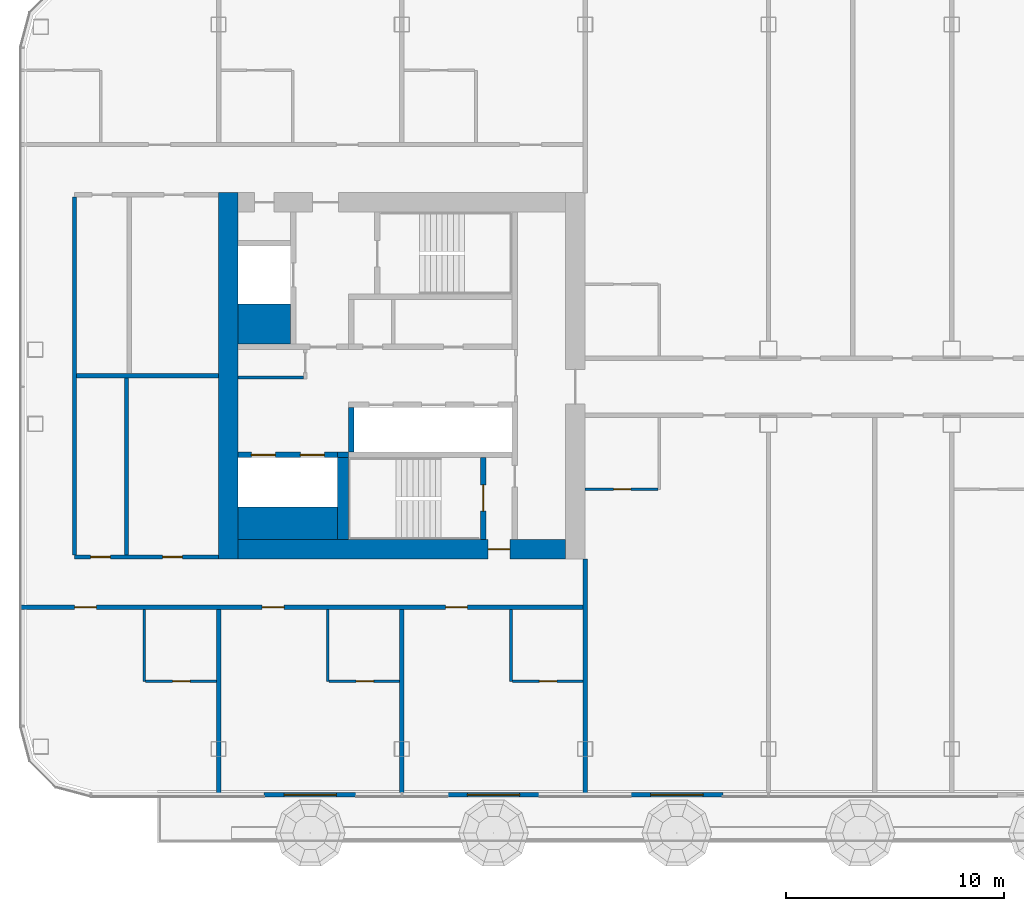
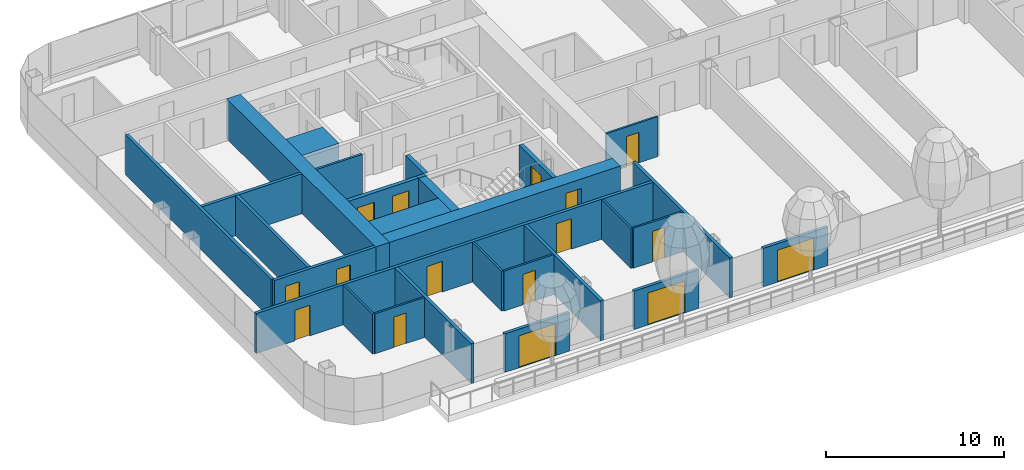
# One storey, part 10 of 29: 28 walls, 16 doors, 16 openings, 1 element without a shape of its own.
"""IFC4 building model written with IfcOpenShell, lengths in metres."""

from ifc_helpers import new_model, si_unit, direction, frame, frame_2d, origin, place, context, subcontext, project, spatial, rectangle, extrude, material, layer, layer_set, type_object, element, fill, aggregate, save


model = new_model("IFC4")

# Units and contexts
model_context = context("Model", 3, precision=1e-05, world=origin(), true_north=direction((0.0, 1.0)))
body_context = subcontext(model_context, "Body", "Model", "MODEL_VIEW")
ifc_project = project(units=[si_unit("LENGTHUNIT", "METRE"), si_unit("AREAUNIT", "SQUARE_METRE"), si_unit("VOLUMEUNIT", "CUBIC_METRE"), si_unit("PLANEANGLEUNIT", "RADIAN"), si_unit("MASSUNIT", "GRAM", prefix="KILO")], contexts=[model_context])

# Site, building, storey
site_placement = place(None, origin())
site = spatial("IfcSite", under=ifc_project, at=site_placement, CompositionType="ELEMENT")
building_placement = place(site_placement, origin())
building = spatial("IfcBuilding", under=site, at=building_placement, Name="Hakoniwa Tower and Hamabe Station Hall", CompositionType="ELEMENT")
storey_placement = place(building_placement, frame((0.0, 0.0, 163.0)))
storey = spatial("IfcBuildingStorey", under=building, at=storey_placement, Name="L46", CompositionType="ELEMENT", Elevation=163.0)

# Wall, opening, door
ifc_material_1 = material(Name="Gypsum board partition", Category="gypsum")
ifc_layer_1 = layer(ifc_material_1, 0.125)
ifc_layer_set_1 = layer_set([ifc_layer_1], Name="Bathroom Partition 125")
wall_type_1 = type_object("IfcWallType", Name="Bathroom Partition 125", PredefinedType="PARTITIONING", material=ifc_layer_set_1)
wall_1_placement = place(storey_placement, frame((-36.9375, -14.0, 0.0), z_axis=(0.0, 0.0, 1.0), x_axis=(1.0, 0.0, 0.0)))
wall_1 = element("IfcWall", 1, at=wall_1_placement, inside=storey, type_object=wall_type_1, Name="GW-L46-001", PredefinedType="PARTITIONING", context=body_context, shape_type="SweptSolid", body=[
    extrude(rectangle(XDim=3.237548828125, YDim=0.125, at=frame_2d((1.61865234375, 0.0))), origin(), (0.0, 0.0, 1.0), 2.75),
])
opening_1_placement = place(wall_1_placement, frame((1.237548828125, 0.0, 0.0)))
opening_1 = element("IfcOpeningElement", 2, at=opening_1_placement, cuts=wall_1, Name="Opening GD-G3A2-01", PredefinedType="OPENING", context=body_context, shape_type="SweptSolid", body=[
    extrude(rectangle(XDim=0.800048828125, YDim=2.10009765625, at=frame_2d((0.39990234375, 1.050048828125))), frame((0.0, 0.072509765625, 0.0), z_axis=(0.0, -1.0, 0.0), x_axis=(1.0, 0.0, 0.0)), (0.0, 0.0, 1.0), 0.14501953125),
])
ifc_material_2 = material(Name="Timber door leaf", Category="wood")
door_type_1 = type_object("IfcDoorType", Name="Bathroom Door 800", OperationType="SINGLE_SWING_LEFT", PredefinedType="DOOR", material=ifc_material_2)
door_1_placement = place(opening_1_placement, origin())
door_1 = element("IfcDoor", 3, at=door_1_placement, inside=storey, type_object=door_type_1, Name="Door GD-G3A2-01", OperationType="SINGLE_SWING_LEFT", OverallHeight=2.10009765625, OverallWidth=0.800048828125, PredefinedType="DOOR", context=body_context, shape_type="SweptSolid", body=[
    extrude(rectangle(XDim=0.800048828125, YDim=2.10009765625, at=frame_2d((0.39990234375, 1.050048828125))), frame((0.0, 0.02490234375, 0.0), z_axis=(0.0, -1.0, 0.0), x_axis=(1.0, 0.0, 0.0)), (0.0, 0.0, 1.0), 0.050048828125),
])
fill(opening_1, door_1)

wall_2_placement = place(storey_placement, frame((-28.53759765625, -14.0, 0.0), z_axis=(0.0, 0.0, 1.0), x_axis=(1.0, 0.0, 0.0)))
wall_2 = element("IfcWall", 4, at=wall_2_placement, inside=storey, type_object=wall_type_1, Name="GW-L46-002", PredefinedType="PARTITIONING", context=body_context, shape_type="SweptSolid", body=[
    extrude(rectangle(XDim=3.237548828125, YDim=0.125, at=frame_2d((1.61865234375, 0.0))), origin(), (0.0, 0.0, 1.0), 2.75),
])
opening_2_placement = place(wall_2_placement, frame((1.237548828125, 0.0, 0.0)))
opening_2 = element("IfcOpeningElement", 5, at=opening_2_placement, cuts=wall_2, Name="Opening GD-G3A2-02", PredefinedType="OPENING", context=body_context, shape_type="SweptSolid", body=[
    extrude(rectangle(XDim=0.800048828125, YDim=2.10009765625, at=frame_2d((0.39990234375, 1.050048828125))), frame((0.0, 0.072509765625, 0.0), z_axis=(0.0, -1.0, 0.0), x_axis=(1.0, 0.0, 0.0)), (0.0, 0.0, 1.0), 0.14501953125),
])
door_2_placement = place(opening_2_placement, origin())
door_2 = element("IfcDoor", 6, at=door_2_placement, inside=storey, type_object=door_type_1, Name="Door GD-G3A2-02", OperationType="SINGLE_SWING_RIGHT", OverallHeight=2.10009765625, OverallWidth=0.800048828125, PredefinedType="DOOR", context=body_context, shape_type="SweptSolid", body=[
    extrude(rectangle(XDim=0.800048828125, YDim=2.10009765625, at=frame_2d((0.39990234375, 1.050048828125))), frame((0.0, 0.02490234375, 0.0), z_axis=(0.0, -1.0, 0.0), x_axis=(1.0, 0.0, 0.0)), (0.0, 0.0, 1.0), 0.050048828125),
])
fill(opening_2, door_2)

wall_3_placement = place(storey_placement, frame((-20.137451171875, -14.0, 0.0), z_axis=(0.0, 0.0, 1.0), x_axis=(1.0, 0.0, 0.0)))
wall_3 = element("IfcWall", 7, at=wall_3_placement, inside=storey, type_object=wall_type_1, Name="GW-L46-003", PredefinedType="PARTITIONING", context=body_context, shape_type="SweptSolid", body=[
    extrude(rectangle(XDim=3.237548828125, YDim=0.125, at=frame_2d((1.61865234375, 0.0))), origin(), (0.0, 0.0, 1.0), 2.75),
])
opening_3_placement = place(wall_3_placement, frame((1.237548828125, 0.0, 0.0)))
opening_3 = element("IfcOpeningElement", 8, at=opening_3_placement, cuts=wall_3, Name="Opening GD-G3A2-03", PredefinedType="OPENING", context=body_context, shape_type="SweptSolid", body=[
    extrude(rectangle(XDim=0.800048828125, YDim=2.10009765625, at=frame_2d((0.39990234375, 1.050048828125))), frame((0.0, 0.072509765625, 0.0), z_axis=(0.0, -1.0, 0.0), x_axis=(1.0, 0.0, 0.0)), (0.0, 0.0, 1.0), 0.14501953125),
])
door_3_placement = place(opening_3_placement, origin())
door_3 = element("IfcDoor", 9, at=door_3_placement, inside=storey, type_object=door_type_1, Name="Door GD-G3A2-03", OperationType="SINGLE_SWING_LEFT", OverallHeight=2.10009765625, OverallWidth=0.800048828125, PredefinedType="DOOR", context=body_context, shape_type="SweptSolid", body=[
    extrude(rectangle(XDim=0.800048828125, YDim=2.10009765625, at=frame_2d((0.39990234375, 1.050048828125))), frame((0.0, 0.02490234375, 0.0), z_axis=(0.0, -1.0, 0.0), x_axis=(1.0, 0.0, 0.0)), (0.0, 0.0, 1.0), 0.050048828125),
])
fill(opening_3, door_3)

wall_4_placement = place(storey_placement, frame((-16.81005859375, -5.199951171875, 0.0), z_axis=(0.0, 0.0, 1.0), x_axis=(1.0, 0.0, 0.0)))
wall_4 = element("IfcWall", 10, at=wall_4_placement, inside=storey, type_object=wall_type_1, Name="GW-L46-010", PredefinedType="PARTITIONING", context=body_context, shape_type="SweptSolid", body=[
    extrude(rectangle(XDim=3.34765625, YDim=0.125, at=frame_2d((1.673828125, 0.0))), origin(), (0.0, 0.0, 1.0), 2.75),
])
opening_4_placement = place(wall_4_placement, frame((1.31005859375, 0.0, 0.0)))
opening_4 = element("IfcOpeningElement", 11, at=opening_4_placement, cuts=wall_4, Name="Opening GD-G3A2-17", PredefinedType="OPENING", context=body_context, shape_type="SweptSolid", body=[
    extrude(rectangle(XDim=0.800048828125, YDim=2.10009765625, at=frame_2d((0.39990234375, 1.050048828125))), frame((0.0, 0.072509765625, 0.0), z_axis=(0.0, -1.0, 0.0), x_axis=(1.0, 0.0, 0.0)), (0.0, 0.0, 1.0), 0.14501953125),
])
door_4_placement = place(opening_4_placement, origin())
door_4 = element("IfcDoor", 12, at=door_4_placement, inside=storey, type_object=door_type_1, Name="Door GD-G3A2-17", OperationType="SINGLE_SWING_LEFT", OverallHeight=2.10009765625, OverallWidth=0.800048828125, PredefinedType="DOOR", context=body_context, shape_type="SweptSolid", body=[
    extrude(rectangle(XDim=0.800048828125, YDim=2.10009765625, at=frame_2d((0.39990234375, 1.050048828125))), frame((0.0, 0.02490234375, 0.0), z_axis=(0.0, -1.0, 0.0), x_axis=(1.0, 0.0, 0.0)), (0.0, 0.0, 1.0), 0.050048828125),
])
fill(opening_4, door_4)

# Walls
for number, where, z_axis, x_axis, name in (
    (13, (-37.0, -14.0, 0.0), (0.0, 0.0, 1.0), (0.0, 1.0, 0.0), "GW-L46-032"),
    (14, (-28.60009765625, -14.0, 0.0), (0.0, 0.0, 1.0), (0.0, 1.0, 0.0), "GW-L46-036"),
    (15, (-20.199951171875, -14.0, 0.0), (0.0, 0.0, 1.0), (0.0, 1.0, 0.0), "GW-L46-040"),
):
    element("IfcWall", number, at=place(storey_placement, frame(where, z_axis=z_axis, x_axis=x_axis)), inside=storey, type_object=wall_type_1, Name=name, PredefinedType="PARTITIONING", context=body_context, shape_type="SweptSolid", body=[
        extrude(rectangle(XDim=3.300048828125, YDim=0.125, at=frame_2d((1.64990234375, 0.0))), origin(), (0.0, 0.0, 1.0), 2.75),
    ])
ifc_material_3 = material(Name="Gypsum board partition")
ifc_layer_2 = layer(ifc_material_3, 0.14990234375)
ifc_layer_set_2 = layer_set([ifc_layer_2], Name="CORE PARTITION 150 EI 60")
wall_type_2 = type_object("IfcWallType", Name="CORE PARTITION 150 EI 60", PredefinedType="PARTITIONING", material=ifc_layer_set_2)
wall_5_placement = place(storey_placement, frame((-32.699951171875, -0.074951171875, 0.0), z_axis=(0.0, 0.0, 1.0), x_axis=(1.0, 0.0, 0.0)))
element("IfcWall", 16, at=wall_5_placement, inside=storey, type_object=wall_type_2, Name="Core partition PS west", PredefinedType="PARTITIONING", context=body_context, shape_type="SweptSolid", body=[
    extrude(rectangle(XDim=3.0, YDim=0.14990234375, at=frame_2d((1.5, 0.0))), origin(), (0.0, 0.0, 1.0), 2.75),
])
ifc_material_4 = material(Name="Concrete C66", Category="concrete")
ifc_layer_3 = layer(ifc_material_4, 0.89990234375)
ifc_layer_set_3 = layer_set([ifc_layer_3], Name="CORE WALL 900 C66")
wall_type_3 = type_object("IfcWallType", Name="CORE WALL 900 C66", PredefinedType="SHEAR", material=ifc_layer_set_3)
wall_6_placement = place(storey_placement, frame((-33.14990234375, -8.39990234375, 0.0), z_axis=(0.0, 0.0, 1.0), x_axis=(0.0, 1.0, 0.0)))
element("IfcWall", 17, at=wall_6_placement, inside=storey, type_object=wall_type_3, Name="Core wall OUTER west", PredefinedType="SHEAR", context=body_context, shape_type="SweptSolid", body=[
    extrude(rectangle(XDim=16.7998046875, YDim=0.89990234375, at=frame_2d((8.39990234375, 0.0))), origin(), (0.0, 0.0, 1.0), 2.75),
])

# Wall, opening, door
wall_7_placement = place(storey_placement, frame((-32.699951171875, -7.949951171875, 0.0), z_axis=(0.0, 0.0, 1.0), x_axis=(1.0, 0.0, 0.0)))
wall_7 = element("IfcWall", 18, at=wall_7_placement, inside=storey, type_object=wall_type_3, Name="Core wall SOUTH west", PredefinedType="SHEAR", context=body_context, shape_type="SweptSolid", body=[
    extrude(rectangle(XDim=15.0, YDim=0.89990234375, at=frame_2d((7.5, 0.0))), origin(), (0.0, 0.0, 1.0), 2.75),
])
opening_5_placement = place(wall_7_placement, frame((11.449951171875, 0.0, 0.0)))
opening_5 = element("IfcOpeningElement", 19, at=opening_5_placement, cuts=wall_7, Name="Opening CD-W-FS3-10", PredefinedType="OPENING", context=body_context, shape_type="SweptSolid", body=[
    extrude(rectangle(XDim=1.0, YDim=2.10009765625, at=frame_2d((0.5, 1.050048828125))), frame((0.0, 0.4599609375, 0.0), z_axis=(0.0, -1.0, 0.0), x_axis=(1.0, 0.0, 0.0)), (0.0, 0.0, 1.0), 0.919921875),
])
ifc_material_5 = material(Name="Steel fire door", Category="steel")
door_type_2 = type_object("IfcDoorType", Name="CORE DOOR 1000 FD60", OperationType="NOTDEFINED", PredefinedType="DOOR", material=ifc_material_5)
door_5_placement = place(opening_5_placement, origin())
door_5 = element("IfcDoor", 20, at=door_5_placement, inside=storey, type_object=door_type_2, Name="Stair vestibule door", OperationType="SINGLE_SWING_LEFT", OverallHeight=2.10009765625, OverallWidth=1.0, PredefinedType="DOOR", context=body_context, shape_type="SweptSolid", body=[
    extrude(rectangle(XDim=1.0, YDim=2.10009765625, at=frame_2d((0.5, 1.050048828125))), frame((0.0, 0.02490234375, 0.0), z_axis=(0.0, -1.0, 0.0), x_axis=(1.0, 0.0, 0.0)), (0.0, 0.0, 1.0), 0.050048828125),
])
fill(opening_5, door_5)

# Walls
ifc_material_6 = material(Name="Concrete C66", Category="concrete")
ifc_layer_4 = layer(ifc_material_6, 1.5)
ifc_layer_set_4 = layer_set([ifc_layer_4], Name="CORE WEB WALL 1500 C66")
wall_type_4 = type_object("IfcWallType", Name="CORE WEB WALL 1500 C66", PredefinedType="SHEAR", material=ifc_layer_set_4)
wall_8_placement = place(storey_placement, frame((-32.699951171875, -6.75, 0.0), z_axis=(0.0, 0.0, 1.0), x_axis=(1.0, 0.0, 0.0)))
element("IfcWall", 21, at=wall_8_placement, inside=storey, type_object=wall_type_4, Name="Core wall SER west", PredefinedType="SHEAR", context=body_context, shape_type="SweptSolid", body=[
    extrude(rectangle(XDim=4.550048828125, YDim=1.5, at=frame_2d((2.27490234375, 0.0))), origin(), (0.0, 0.0, 1.0), 2.75),
])
ifc_material_7 = material(Name="Concrete C66", Category="concrete")
ifc_layer_5 = layer(ifc_material_7, 1.85009765625)
ifc_layer_set_5 = layer_set([ifc_layer_5], Name="CORE WEB WALL 1850 C66")
wall_type_5 = type_object("IfcWallType", Name="CORE WEB WALL 1850 C66", PredefinedType="SHEAR", material=ifc_layer_set_5)
wall_9_placement = place(storey_placement, frame((-32.699951171875, 2.375, 0.0), z_axis=(0.0, 0.0, 1.0), x_axis=(1.0, 0.0, 0.0)))
element("IfcWall", 22, at=wall_9_placement, inside=storey, type_object=wall_type_5, Name="Core wall CA west", PredefinedType="SHEAR", context=body_context, shape_type="SweptSolid", body=[
    extrude(rectangle(XDim=2.39990234375, YDim=1.85009765625, at=frame_2d((1.199951171875, 0.0))), origin(), (0.0, 0.0, 1.0), 2.75),
])
ifc_material_8 = material(Name="Concrete C66", Category="concrete")
ifc_layer_6 = layer(ifc_material_8, 0.25)
ifc_layer_set_6 = layer_set([ifc_layer_6], Name="CORE WEB WALL 250 C66")
wall_type_6 = type_object("IfcWallType", Name="CORE WEB WALL 250 C66", PredefinedType="SHEAR", material=ifc_layer_set_6)
wall_10_placement = place(storey_placement, frame((-27.52490234375, -3.5, 0.0), z_axis=(0.0, 0.0, 1.0), x_axis=(0.0, 1.0, 0.0)))
element("IfcWall", 23, at=wall_10_placement, inside=storey, type_object=wall_type_6, Name="Core wall SE west", PredefinedType="SHEAR", context=body_context, shape_type="SweptSolid", body=[
    extrude(rectangle(XDim=2.050048828125, YDim=0.25, at=frame_2d((1.02490234375, 0.0))), origin(), (0.0, 0.0, 1.0), 2.75),
])

# Wall, opening, door
wall_11_placement = place(storey_placement, frame((-21.47509765625, -7.5, 0.0), z_axis=(0.0, 0.0, 1.0), x_axis=(0.0, 1.0, 0.0)))
wall_11 = element("IfcWall", 24, at=wall_11_placement, inside=storey, type_object=wall_type_6, Name="Core wall VE west", PredefinedType="SHEAR", context=body_context, shape_type="SweptSolid", body=[
    extrude(rectangle(XDim=3.75, YDim=0.25, at=frame_2d((1.875, 0.0))), origin(), (0.0, 0.0, 1.0), 2.75),
])
opening_6_placement = place(wall_11_placement, frame((1.300048828125, 0.0, 0.0)))
opening_6 = element("IfcOpeningElement", 25, at=opening_6_placement, cuts=wall_11, Name="Opening CD-W-SS-12", PredefinedType="OPENING", context=body_context, shape_type="SweptSolid", body=[
    extrude(rectangle(XDim=1.199951171875, YDim=2.10009765625, at=frame_2d((0.60009765625, 1.050048828125))), frame((0.0, 0.135009765625, 0.0), z_axis=(0.0, -1.0, 0.0), x_axis=(1.0, 0.0, 0.0)), (0.0, 0.0, 1.0), 0.27001953125),
])
ifc_material_9 = material(Name="Steel fire door", Category="steel")
door_type_3 = type_object("IfcDoorType", Name="CORE DOOR 1200 FD60", OperationType="DOUBLE_DOOR_SINGLE_SWING", PredefinedType="DOOR", material=ifc_material_9)
door_6_placement = place(opening_6_placement, origin())
door_6 = element("IfcDoor", 26, at=door_6_placement, inside=storey, type_object=door_type_3, Name="Escape stair door", OperationType="DOUBLE_DOOR_SINGLE_SWING", OverallHeight=2.10009765625, OverallWidth=1.199951171875, PredefinedType="DOOR", context=body_context, shape_type="SweptSolid", body=[
    extrude(rectangle(XDim=1.199951171875, YDim=2.10009765625, at=frame_2d((0.60009765625, 1.050048828125))), frame((0.0, 0.02490234375, 0.0), z_axis=(0.0, -1.0, 0.0), x_axis=(1.0, 0.0, 0.0)), (0.0, 0.0, 1.0), 0.050048828125),
])
fill(opening_6, door_6)

# Wall, openings, doors
wall_12_placement = place(storey_placement, frame((-32.699951171875, -3.625, 0.0), z_axis=(0.0, 0.0, 1.0), x_axis=(1.0, 0.0, 0.0)))
wall_12 = element("IfcWall", 27, at=wall_12_placement, inside=storey, type_object=wall_type_6, Name="Core wall SEF west", PredefinedType="SHEAR", context=body_context, shape_type="SweptSolid", body=[
    extrude(rectangle(XDim=4.550048828125, YDim=0.25, at=frame_2d((2.27490234375, 0.0))), origin(), (0.0, 0.0, 1.0), 2.75),
])
opening_7_placement = place(wall_12_placement, frame((2.85009765625, 0.0, 0.0)))
opening_7 = element("IfcOpeningElement", 28, at=opening_7_placement, cuts=wall_12, Name="Opening LD-SV1", PredefinedType="OPENING", context=body_context, shape_type="SweptSolid", body=[
    extrude(rectangle(XDim=1.10009765625, YDim=2.10009765625, at=frame_2d((0.550048828125, 1.050048828125))), frame((0.0, 0.135009765625, 0.0), z_axis=(0.0, -1.0, 0.0), x_axis=(1.0, 0.0, 0.0)), (0.0, 0.0, 1.0), 0.27001953125),
])
opening_8_placement = place(wall_12_placement, frame((0.60009765625, 0.0, 0.0)))
opening_8 = element("IfcOpeningElement", 29, at=opening_8_placement, cuts=wall_12, Name="Opening LD-SV2", PredefinedType="OPENING", context=body_context, shape_type="SweptSolid", body=[
    extrude(rectangle(XDim=1.10009765625, YDim=2.10009765625, at=frame_2d((0.550048828125, 1.050048828125))), frame((0.0, 0.135009765625, 0.0), z_axis=(0.0, -1.0, 0.0), x_axis=(1.0, 0.0, 0.0)), (0.0, 0.0, 1.0), 0.27001953125),
])
ifc_material_10 = material(Name="Stainless steel SUS304", Category="steel")
door_type_4 = type_object("IfcDoorType", Name="LIFT LANDING DOOR 1100 FD60", OperationType="DOUBLE_DOOR_SLIDING", PredefinedType="DOOR", material=ifc_material_10)
door_7_placement = place(opening_7_placement, origin())
door_7 = element("IfcDoor", 30, at=door_7_placement, inside=storey, type_object=door_type_4, Name="Lift landing door SV1 L46", OperationType="DOUBLE_DOOR_SLIDING", OverallHeight=2.10009765625, OverallWidth=1.10009765625, PredefinedType="DOOR", context=body_context, shape_type="SweptSolid", body=[
    extrude(rectangle(XDim=1.10009765625, YDim=2.10009765625, at=frame_2d((0.550048828125, 1.050048828125))), frame((0.0, 0.02490234375, 0.0), z_axis=(0.0, -1.0, 0.0), x_axis=(1.0, 0.0, 0.0)), (0.0, 0.0, 1.0), 0.050048828125),
])
fill(opening_7, door_7)
door_8_placement = place(opening_8_placement, origin())
door_8 = element("IfcDoor", 31, at=door_8_placement, inside=storey, type_object=door_type_4, Name="Lift landing door SV2 L46", OperationType="DOUBLE_DOOR_SLIDING", OverallHeight=2.10009765625, OverallWidth=1.10009765625, PredefinedType="DOOR", context=body_context, shape_type="SweptSolid", body=[
    extrude(rectangle(XDim=1.10009765625, YDim=2.10009765625, at=frame_2d((0.550048828125, 1.050048828125))), frame((0.0, 0.02490234375, 0.0), z_axis=(0.0, -1.0, 0.0), x_axis=(1.0, 0.0, 0.0)), (0.0, 0.0, 1.0), 0.050048828125),
])
fill(opening_8, door_8)

# Walls
wall_13_placement = place(storey_placement, frame((-28.14990234375, -3.625, 0.0), z_axis=(0.0, 0.0, 1.0), x_axis=(1.0, 0.0, 0.0)))
element("IfcWall", 32, at=wall_13_placement, inside=storey, type_object=wall_type_6, Name="Core wall SRK west", PredefinedType="SHEAR", context=body_context, shape_type="SweptSolid", body=[
    extrude(rectangle(XDim=0.5, YDim=0.25, at=frame_2d((0.25, 0.0))), origin(), (0.0, 0.0, 1.0), 2.75),
])
ifc_material_11 = material(Name="Concrete C66", Category="concrete")
ifc_layer_7 = layer(ifc_material_11, 0.5)
ifc_layer_set_7 = layer_set([ifc_layer_7], Name="CORE WEB WALL 500 C66")
wall_type_7 = type_object("IfcWallType", Name="CORE WEB WALL 500 C66", PredefinedType="SHEAR", material=ifc_layer_set_7)
wall_14_placement = place(storey_placement, frame((-27.89990234375, -7.5, 0.0), z_axis=(0.0, 0.0, 1.0), x_axis=(0.0, 1.0, 0.0)))
element("IfcWall", 33, at=wall_14_placement, inside=storey, type_object=wall_type_7, Name="Core wall SSE west", PredefinedType="SHEAR", context=body_context, shape_type="SweptSolid", body=[
    extrude(rectangle(XDim=3.75, YDim=0.5, at=frame_2d((1.875, 0.0))), origin(), (0.0, 0.0, 1.0), 2.75),
])

# Wall, openings, doors
ifc_material_12 = material(Name="Fire-rated gypsum board partition", Category="gypsum")
ifc_layer_8 = layer(ifc_material_12, 0.199951171875)
ifc_layer_set_8 = layer_set([ifc_layer_8], Name="Corridor Wall 200")
wall_type_8 = type_object("IfcWallType", Name="Corridor Wall 200", PredefinedType="PARTITIONING", material=ifc_layer_set_8)
wall_15_placement = place(storey_placement, frame((-42.699951171875, -10.60009765625, 0.0), z_axis=(0.0, 0.0, 1.0), x_axis=(1.0, 0.0, 0.0)))
wall_15 = element("IfcWall", 34, at=wall_15_placement, inside=storey, type_object=wall_type_8, Name="GW-L46-006", PredefinedType="PARTITIONING", context=body_context, shape_type="SweptSolid", body=[
    extrude(rectangle(XDim=25.89990234375, YDim=0.199951171875, at=frame_2d((12.949951171875, 0.0))), origin(), (0.0, 0.0, 1.0), 2.75),
])
opening_9_placement = place(wall_15_placement, frame((2.5, 0.0, 0.0)))
opening_9 = element("IfcOpeningElement", 35, at=opening_9_placement, cuts=wall_15, Name="Opening GD-G3A2-07", PredefinedType="OPENING", context=body_context, shape_type="SweptSolid", body=[
    extrude(rectangle(XDim=1.0, YDim=2.10009765625, at=frame_2d((0.5, 1.050048828125))), frame((0.0, 0.10986328125, 0.0), z_axis=(0.0, -1.0, 0.0), x_axis=(1.0, 0.0, 0.0)), (0.0, 0.0, 1.0), 0.219970703125),
])
opening_10_placement = place(wall_15_placement, frame((11.10009765625, 0.0, 0.0)))
opening_10 = element("IfcOpeningElement", 36, at=opening_10_placement, cuts=wall_15, Name="Opening GD-G3A2-08", PredefinedType="OPENING", context=body_context, shape_type="SweptSolid", body=[
    extrude(rectangle(XDim=1.0, YDim=2.10009765625, at=frame_2d((0.5, 1.050048828125))), frame((0.0, 0.10986328125, 0.0), z_axis=(0.0, -1.0, 0.0), x_axis=(1.0, 0.0, 0.0)), (0.0, 0.0, 1.0), 0.219970703125),
])
opening_11_placement = place(wall_15_placement, frame((19.5, 0.0, 0.0)))
opening_11 = element("IfcOpeningElement", 37, at=opening_11_placement, cuts=wall_15, Name="Opening GD-G3A2-09", PredefinedType="OPENING", context=body_context, shape_type="SweptSolid", body=[
    extrude(rectangle(XDim=1.0, YDim=2.10009765625, at=frame_2d((0.5, 1.050048828125))), frame((0.0, 0.10986328125, 0.0), z_axis=(0.0, -1.0, 0.0), x_axis=(1.0, 0.0, 0.0)), (0.0, 0.0, 1.0), 0.219970703125),
])
ifc_material_13 = material(Name="Timber door leaf", Category="wood")
door_type_5 = type_object("IfcDoorType", Name="Guest Entrance Door 1000", OperationType="SINGLE_SWING_LEFT", PredefinedType="DOOR", material=ifc_material_13)
door_9_placement = place(opening_9_placement, origin())
door_9 = element("IfcDoor", 38, at=door_9_placement, inside=storey, type_object=door_type_5, Name="Door GD-G3A2-07", OperationType="SINGLE_SWING_RIGHT", OverallHeight=2.10009765625, OverallWidth=1.0, PredefinedType="DOOR", context=body_context, shape_type="SweptSolid", body=[
    extrude(rectangle(XDim=1.0, YDim=2.10009765625, at=frame_2d((0.5, 1.050048828125))), frame((0.0, 0.02490234375, 0.0), z_axis=(0.0, -1.0, 0.0), x_axis=(1.0, 0.0, 0.0)), (0.0, 0.0, 1.0), 0.050048828125),
])
fill(opening_9, door_9)
door_10_placement = place(opening_10_placement, origin())
door_10 = element("IfcDoor", 39, at=door_10_placement, inside=storey, type_object=door_type_5, Name="Door GD-G3A2-08", OperationType="SINGLE_SWING_LEFT", OverallHeight=2.10009765625, OverallWidth=1.0, PredefinedType="DOOR", context=body_context, shape_type="SweptSolid", body=[
    extrude(rectangle(XDim=1.0, YDim=2.10009765625, at=frame_2d((0.5, 1.050048828125))), frame((0.0, 0.02490234375, 0.0), z_axis=(0.0, -1.0, 0.0), x_axis=(1.0, 0.0, 0.0)), (0.0, 0.0, 1.0), 0.050048828125),
])
fill(opening_10, door_10)
door_11_placement = place(opening_11_placement, origin())
door_11 = element("IfcDoor", 40, at=door_11_placement, inside=storey, type_object=door_type_5, Name="Door GD-G3A2-09", OperationType="SINGLE_SWING_RIGHT", OverallHeight=2.10009765625, OverallWidth=1.0, PredefinedType="DOOR", context=body_context, shape_type="SweptSolid", body=[
    extrude(rectangle(XDim=1.0, YDim=2.10009765625, at=frame_2d((0.5, 1.050048828125))), frame((0.0, 0.02490234375, 0.0), z_axis=(0.0, -1.0, 0.0), x_axis=(1.0, 0.0, 0.0)), (0.0, 0.0, 1.0), 0.050048828125),
])
fill(opening_11, door_11)

wall_16_placement = place(storey_placement, frame((-40.199951171875, -8.300048828125, 0.0), z_axis=(0.0, 0.0, 1.0), x_axis=(1.0, 0.0, 0.0)))
wall_16 = element("IfcWall", 41, at=wall_16_placement, inside=storey, type_object=wall_type_8, Name="GW-L46-008", PredefinedType="PARTITIONING", context=body_context, shape_type="SweptSolid", body=[
    extrude(rectangle(XDim=6.599853515625, YDim=0.199951171875, at=frame_2d((3.2998046875, 0.0))), origin(), (0.0, 0.0, 1.0), 2.75),
])
opening_12_placement = place(wall_16_placement, frame((0.739990234375, 0.0, 0.0)))
opening_12 = element("IfcOpeningElement", 42, at=opening_12_placement, cuts=wall_16, Name="Opening GD-G3A2-13", PredefinedType="OPENING", context=body_context, shape_type="SweptSolid", body=[
    extrude(rectangle(XDim=0.89990234375, YDim=2.10009765625, at=frame_2d((0.449951171875, 1.050048828125))), frame((0.0, 0.10986328125, 0.0), z_axis=(0.0, -1.0, 0.0), x_axis=(1.0, 0.0, 0.0)), (0.0, 0.0, 1.0), 0.219970703125),
])
opening_13_placement = place(wall_16_placement, frame((4.0400390625, 0.0, 0.0)))
opening_13 = element("IfcOpeningElement", 43, at=opening_13_placement, cuts=wall_16, Name="Opening GD-G3A2-14", PredefinedType="OPENING", context=body_context, shape_type="SweptSolid", body=[
    extrude(rectangle(XDim=0.89990234375, YDim=2.10009765625, at=frame_2d((0.449951171875, 1.050048828125))), frame((0.0, 0.10986328125, 0.0), z_axis=(0.0, -1.0, 0.0), x_axis=(1.0, 0.0, 0.0)), (0.0, 0.0, 1.0), 0.219970703125),
])
ifc_material_14 = material(Name="Timber door leaf", Category="wood")
door_type_6 = type_object("IfcDoorType", Name="Service Door 900", OperationType="SINGLE_SWING_LEFT", PredefinedType="DOOR", material=ifc_material_14)
door_12_placement = place(opening_12_placement, origin())
door_12 = element("IfcDoor", 44, at=door_12_placement, inside=storey, type_object=door_type_6, Name="Door GD-G3A2-13", OperationType="SINGLE_SWING_RIGHT", OverallHeight=2.10009765625, OverallWidth=0.89990234375, PredefinedType="DOOR", context=body_context, shape_type="SweptSolid", body=[
    extrude(rectangle(XDim=0.89990234375, YDim=2.10009765625, at=frame_2d((0.449951171875, 1.050048828125))), frame((0.0, 0.02490234375, 0.0), z_axis=(0.0, -1.0, 0.0), x_axis=(1.0, 0.0, 0.0)), (0.0, 0.0, 1.0), 0.050048828125),
])
fill(opening_12, door_12)
door_13_placement = place(opening_13_placement, origin())
door_13 = element("IfcDoor", 45, at=door_13_placement, inside=storey, type_object=door_type_6, Name="Door GD-G3A2-14", OperationType="SINGLE_SWING_RIGHT", OverallHeight=2.10009765625, OverallWidth=0.89990234375, PredefinedType="DOOR", context=body_context, shape_type="SweptSolid", body=[
    extrude(rectangle(XDim=0.89990234375, YDim=2.10009765625, at=frame_2d((0.449951171875, 1.050048828125))), frame((0.0, 0.02490234375, 0.0), z_axis=(0.0, -1.0, 0.0), x_axis=(1.0, 0.0, 0.0)), (0.0, 0.0, 1.0), 0.050048828125),
])
fill(opening_13, door_13)

# Curtain wall, walls, openings, doors
ifc_material_15 = material(Name="Dark low-e laminated glass", Category="glass")
ifc_layer_9 = layer(ifc_material_15, 0.199951171875)
ifc_layer_set_9 = layer_set([ifc_layer_9], Name="CW-1 UNITISED GUEST")
curtain_wall_type = type_object("IfcCurtainWallType", Name="CW-1 UNITISED GUEST", PredefinedType="NOTDEFINED", material=ifc_layer_set_9)
curtain_wall_placement = place(storey_placement, origin())
curtain_wall = element("IfcCurtainWall", 46, at=curtain_wall_placement, inside=storey, type_object=curtain_wall_type, Name="CW-1 curtain wall", PredefinedType="NOTDEFINED")
ifc_material_16 = material(Name="Dark glass-faced aluminium panel", Category="aluminium")
ifc_layer_10 = layer(ifc_material_16, 0.199951171875)
ifc_layer_set_10 = layer_set([ifc_layer_10], Name="DOOR BAY WALL")
wall_type_9 = type_object("IfcWallType", Name="DOOR BAY WALL", PredefinedType="NOTDEFINED", material=ifc_layer_set_10)
wall_17_placement = place(storey_placement, frame((-31.510009765625, -19.199951171875, 0.0), z_axis=(0.0, 0.0, 1.0), x_axis=(1.0, 0.0, 0.0)))
wall_17 = element("IfcWall", 47, at=wall_17_placement, type_object=wall_type_9, Name="Door bay wall", PredefinedType="NOTDEFINED", context=body_context, shape_type="SweptSolid", body=[
    extrude(rectangle(XDim=4.219970703125, YDim=0.199951171875, at=frame_2d((2.10986328125, 0.0))), origin(), (0.0, 0.0, 1.0), 2.64990234375),
])
opening_14_placement = place(wall_17_placement, frame((0.909912109375, 0.0, 0.0)))
opening_14 = element("IfcOpeningElement", 48, at=opening_14_placement, cuts=wall_17, Name="Opening BD-S07-12", PredefinedType="OPENING", context=body_context, shape_type="SweptSolid", body=[
    extrude(rectangle(XDim=2.39990234375, YDim=2.199951171875, at=frame_2d((1.199951171875, 1.10009765625))), frame((0.0, 0.10986328125, 0.0), z_axis=(0.0, -1.0, 0.0), x_axis=(1.0, 0.0, 0.0)), (0.0, 0.0, 1.0), 0.219970703125),
])
ifc_material_17 = material(Name="Dark low-e laminated glass", Category="glass")
door_type_7 = type_object("IfcDoorType", Name="BALCONY SLIDING DOOR 2400X2200", OperationType="SLIDING_TO_LEFT", PredefinedType="DOOR", material=ifc_material_17)
door_14_placement = place(opening_14_placement, frame((2.39990234375, 0.0, 0.0), z_axis=(0.0, 0.0, 1.0), x_axis=(-1.0, 0.0, 0.0)))
door_14 = element("IfcDoor", 49, at=door_14_placement, inside=storey, type_object=door_type_7, Name="Balcony sliding door", OperationType="SLIDING_TO_LEFT", OverallHeight=2.199951171875, OverallWidth=2.39990234375, PredefinedType="DOOR", context=body_context, shape_type="SweptSolid", body=[
    extrude(rectangle(XDim=2.39990234375, YDim=2.199951171875, at=frame_2d((1.199951171875, 1.10009765625))), frame((0.0, 0.02490234375, 0.0), z_axis=(0.0, -1.0, 0.0), x_axis=(1.0, 0.0, 0.0)), (0.0, 0.0, 1.0), 0.050048828125),
])
fill(opening_14, door_14)
wall_18_placement = place(storey_placement, frame((-23.110107421875, -19.199951171875, 0.0), z_axis=(0.0, 0.0, 1.0), x_axis=(1.0, 0.0, 0.0)))
wall_18 = element("IfcWall", 50, at=wall_18_placement, type_object=wall_type_9, Name="Door bay wall", PredefinedType="NOTDEFINED", context=body_context, shape_type="SweptSolid", body=[
    extrude(rectangle(XDim=4.22021484375, YDim=0.199951171875, at=frame_2d((2.110107421875, 0.0))), origin(), (0.0, 0.0, 1.0), 2.64990234375),
])
opening_15_placement = place(wall_18_placement, frame((0.909912109375, 0.0, 0.0)))
opening_15 = element("IfcOpeningElement", 51, at=opening_15_placement, cuts=wall_18, Name="Opening BD-S07-13", PredefinedType="OPENING", context=body_context, shape_type="SweptSolid", body=[
    extrude(rectangle(XDim=2.39990234375, YDim=2.199951171875, at=frame_2d((1.199951171875, 1.10009765625))), frame((0.0, 0.10986328125, 0.0), z_axis=(0.0, -1.0, 0.0), x_axis=(1.0, 0.0, 0.0)), (0.0, 0.0, 1.0), 0.219970703125),
])
door_15_placement = place(opening_15_placement, frame((2.39990234375, 0.0, 0.0), z_axis=(0.0, 0.0, 1.0), x_axis=(-1.0, 0.0, 0.0)))
door_15 = element("IfcDoor", 52, at=door_15_placement, inside=storey, type_object=door_type_7, Name="Balcony sliding door", OperationType="SLIDING_TO_LEFT", OverallHeight=2.199951171875, OverallWidth=2.39990234375, PredefinedType="DOOR", context=body_context, shape_type="SweptSolid", body=[
    extrude(rectangle(XDim=2.39990234375, YDim=2.199951171875, at=frame_2d((1.199951171875, 1.10009765625))), frame((0.0, 0.02490234375, 0.0), z_axis=(0.0, -1.0, 0.0), x_axis=(1.0, 0.0, 0.0)), (0.0, 0.0, 1.0), 0.050048828125),
])
fill(opening_15, door_15)
wall_19_placement = place(storey_placement, frame((-14.7099609375, -19.199951171875, 0.0), z_axis=(0.0, 0.0, 1.0), x_axis=(1.0, 0.0, 0.0)))
wall_19 = element("IfcWall", 53, at=wall_19_placement, type_object=wall_type_9, Name="Door bay wall", PredefinedType="NOTDEFINED", context=body_context, shape_type="SweptSolid", body=[
    extrude(rectangle(XDim=4.219970703125, YDim=0.199951171875, at=frame_2d((2.10986328125, 0.0))), origin(), (0.0, 0.0, 1.0), 2.64990234375),
])
opening_16_placement = place(wall_19_placement, frame((0.909912109375, 0.0, 0.0)))
opening_16 = element("IfcOpeningElement", 54, at=opening_16_placement, cuts=wall_19, Name="Opening BD-S07-3", PredefinedType="OPENING", context=body_context, shape_type="SweptSolid", body=[
    extrude(rectangle(XDim=2.39990234375, YDim=2.199951171875, at=frame_2d((1.199951171875, 1.10009765625))), frame((0.0, 0.10986328125, 0.0), z_axis=(0.0, -1.0, 0.0), x_axis=(1.0, 0.0, 0.0)), (0.0, 0.0, 1.0), 0.219970703125),
])
door_16_placement = place(opening_16_placement, frame((2.39990234375, 0.0, 0.0), z_axis=(0.0, 0.0, 1.0), x_axis=(-1.0, 0.0, 0.0)))
door_16 = element("IfcDoor", 55, at=door_16_placement, inside=storey, type_object=door_type_7, Name="Balcony sliding door", OperationType="SLIDING_TO_LEFT", OverallHeight=2.199951171875, OverallWidth=2.39990234375, PredefinedType="DOOR", context=body_context, shape_type="SweptSolid", body=[
    extrude(rectangle(XDim=2.39990234375, YDim=2.199951171875, at=frame_2d((1.199951171875, 1.10009765625))), frame((0.0, 0.02490234375, 0.0), z_axis=(0.0, -1.0, 0.0), x_axis=(1.0, 0.0, 0.0)), (0.0, 0.0, 1.0), 0.050048828125),
])
fill(opening_16, door_16)
aggregate(curtain_wall, [wall_17, wall_18, wall_19])

# Walls
ifc_material_18 = material(Name="Fire-rated gypsum board partition", Category="gypsum")
ifc_layer_11 = layer(ifc_material_18, 0.199951171875)
ifc_layer_set_11 = layer_set([ifc_layer_11], Name="Party Wall 200")
wall_type_10 = type_object("IfcWallType", Name="Party Wall 200", PredefinedType="PARTITIONING", material=ifc_layer_set_11)
wall_20_placement = place(storey_placement, frame((-40.10009765625, 0.0, 0.0), z_axis=(0.0, 0.0, 1.0), x_axis=(1.0, 0.0, 0.0)))
element("IfcWall", 56, at=wall_20_placement, inside=storey, type_object=wall_type_10, Name="GW-L46-014", PredefinedType="PARTITIONING", context=body_context, shape_type="SweptSolid", body=[
    extrude(rectangle(XDim=6.5, YDim=0.199951171875, at=frame_2d((3.25, 0.0))), origin(), (0.0, 0.0, 1.0), 2.75),
])
wall_21_placement = place(storey_placement, frame((-40.199951171875, -8.199951171875, 0.0), z_axis=(0.0, 0.0, 1.0), x_axis=(0.0, 1.0, 0.0)))
element("IfcWall", 57, at=wall_21_placement, inside=storey, type_object=wall_type_10, Name="GW-L46-028", PredefinedType="PARTITIONING", context=body_context, shape_type="SweptSolid", body=[
    extrude(rectangle(XDim=16.39990234375, YDim=0.199951171875, at=frame_2d((8.199951171875, 0.0))), origin(), (0.0, 0.0, 1.0), 2.75),
])
wall_22_placement = place(storey_placement, frame((-37.820068359375, -8.199951171875, 0.0), z_axis=(0.0, 0.0, 1.0), x_axis=(0.0, 1.0, 0.0)))
element("IfcWall", 58, at=wall_22_placement, inside=storey, type_object=wall_type_10, Name="GW-L46-030", PredefinedType="PARTITIONING", context=body_context, shape_type="SweptSolid", body=[
    extrude(rectangle(XDim=8.199951171875, YDim=0.199951171875, at=frame_2d((4.10009765625, 0.0))), origin(), (0.0, 0.0, 1.0), 2.75),
])
for number, where, z_axis, x_axis, name in (
    (59, (-33.60009765625, -19.300048828125, 0.0), (0.0, 0.0, 1.0), (0.0, 1.0, 0.0), "GW-L46-033"),
    (60, (-25.199951171875, -19.300048828125, 0.0), (0.0, 0.0, 1.0), (0.0, 1.0, 0.0), "GW-L46-037"),
):
    element("IfcWall", number, at=place(storey_placement, frame(where, z_axis=z_axis, x_axis=x_axis)), inside=storey, type_object=wall_type_10, Name=name, PredefinedType="PARTITIONING", context=body_context, shape_type="SweptSolid", body=[
        extrude(rectangle(XDim=8.60009765625, YDim=0.199951171875, at=frame_2d((4.300048828125, 0.0))), origin(), (0.0, 0.0, 1.0), 2.75),
    ])
wall_23_placement = place(storey_placement, frame((-16.800048828125, -19.300048828125, 0.0), z_axis=(0.0, 0.0, 1.0), x_axis=(0.0, 1.0, 0.0)))
element("IfcWall", 61, at=wall_23_placement, inside=storey, type_object=wall_type_10, Name="GW-L46-041", PredefinedType="PARTITIONING", context=body_context, shape_type="SweptSolid", body=[
    extrude(rectangle(XDim=10.91015625, YDim=0.199951171875, at=frame_2d((5.455078125, 0.0))), origin(), (0.0, 0.0, 1.0), 2.75),
])

save(model, "model.ifc")
